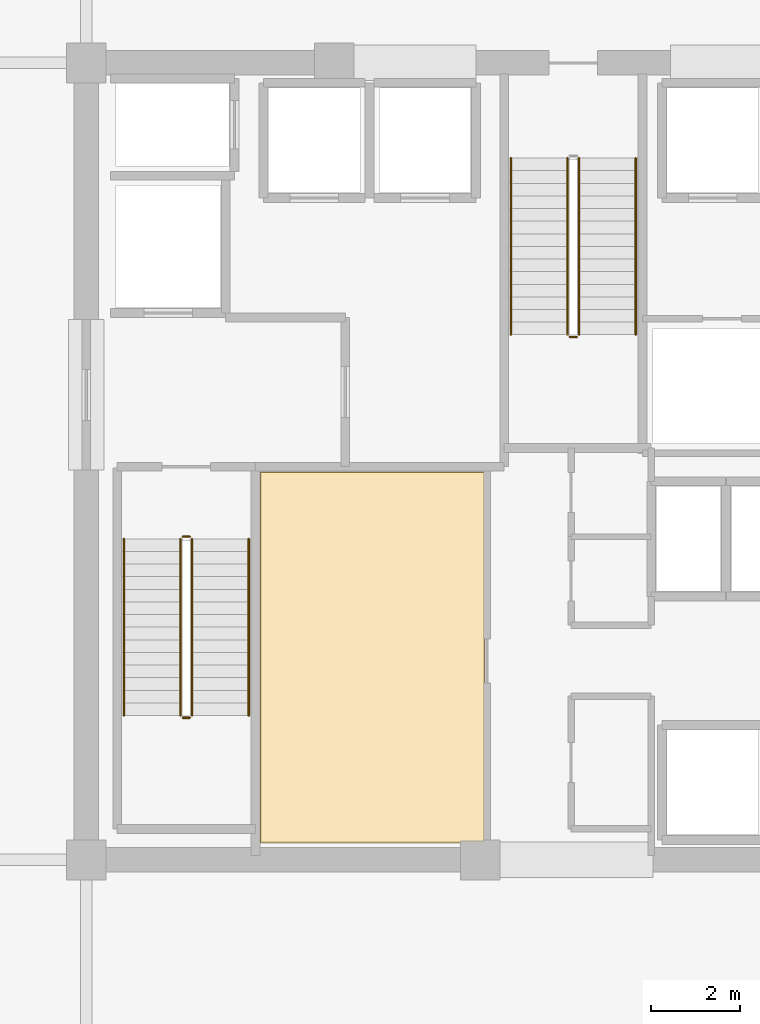
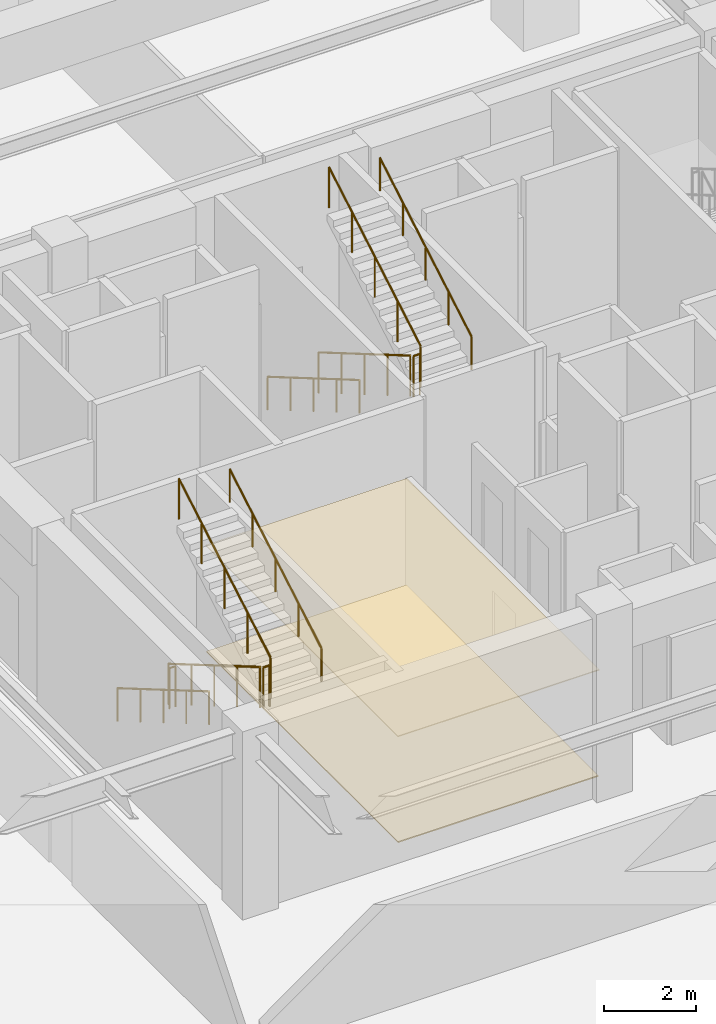
# One storey, part 18 of 21: 11 railings, 2 coverings.
"""IFC4 building model written with IfcOpenShell, lengths in metres."""

import ifcopenshell
import ifcopenshell.guid

model = None  # the IFC model being written
_history = None  # IfcOwnerHistory: only IFC2X3 demands one
_inside = {}  # id of a spatial element -> (the spatial element, [elements in it])
_under = {}  # id of a project, library or spatial element -> (it, [spatial elements below it])
_declared = {}  # id of a project -> (the project, [libraries it declares])
_typed = {}  # id of a type object -> (the type object, [elements of that type])
_made_of = {}  # id of a material, layer set ... -> (it, [elements and type objects made of it])


def new_model(schema):
    """Start an empty IFC model of exactly this schema.

    Asked for "IFC4X3", IfcOpenShell would pick the latest addendum, in which some entities
    have other attributes; the version numbers below select the first issue.
    IFC2X3 requires an IfcOwnerHistory on every rooted entity: one is made here for all.
    """
    global model, _history
    if schema == "IFC4X3":
        model = ifcopenshell.file(schema_version=(4, 3, 0, 0))
    else:
        model = ifcopenshell.file(schema=schema)
    _inside.clear()
    _under.clear()
    _declared.clear()
    _typed.clear()
    _made_of.clear()
    _history = None
    if model.schema == "IFC2X3":
        org = make("IfcOrganization", Name="unknown")
        user = make(
            "IfcPersonAndOrganization",
            ThePerson=make("IfcPerson", FamilyName="unknown"),
            TheOrganization=org,
        )
        app = make(
            "IfcApplication",
            ApplicationDeveloper=org,
            Version="unknown",
            ApplicationFullName="unknown",
            ApplicationIdentifier="unknown",
        )
        _history = make(
            "IfcOwnerHistory",
            OwningUser=user,
            OwningApplication=app,
            ChangeAction="ADDED",
            CreationDate=0,
        )
    return model


def make(cls, **values):
    """One entity of the class cls with the attributes given. An attribute that is None is left unset."""
    return model.create_entity(
        cls, **{name: value for name, value in values.items() if value is not None}
    )


def rooted(cls, **values):
    """An entity with a GlobalId (a new one), such as an element, a storey or a relation."""
    return make(cls, GlobalId=ifcopenshell.guid.new(), OwnerHistory=_history, **values)


def si_unit(unit_type, name, prefix=None):
    """IfcSIUnit, for example si_unit("LENGTHUNIT", "METRE", prefix="MILLI")."""
    return make("IfcSIUnit", UnitType=unit_type, Prefix=prefix, Name=name)


def assignment(units):
    """IfcUnitAssignment: the units of a project."""
    return None if units is None else make("IfcUnitAssignment", Units=units)


def point(xyz):
    """IfcCartesianPoint."""
    return None if xyz is None else make("IfcCartesianPoint", Coordinates=xyz)


def direction(xyz):
    """IfcDirection."""
    return None if xyz is None else make("IfcDirection", DirectionRatios=xyz)


def frame(location, z_axis=None, x_axis=None):
    """IfcAxis2Placement3D, a coordinate frame: its origin and axes. An axis left out is left unset."""
    return make(
        "IfcAxis2Placement3D",
        Location=point(location),
        Axis=direction(z_axis),
        RefDirection=direction(x_axis),
    )


def frame_2d(location, x_axis=None):
    """IfcAxis2Placement2D, a coordinate frame in the plane: its origin and x axis."""
    return make(
        "IfcAxis2Placement2D", Location=point(location), RefDirection=direction(x_axis)
    )


def origin():
    """The frame at (0, 0, 0) with its axes left unset."""
    return frame((0.0, 0.0, 0.0))


def origin_2d():
    """The frame at (0, 0) in the plane with its x axis left unset."""
    return frame_2d((0.0, 0.0))


def place(relative_to, where):
    """IfcLocalPlacement: puts the frame where relative to a parent placement (None: the world)."""
    return make(
        "IfcLocalPlacement", PlacementRelTo=relative_to, RelativePlacement=where
    )


def context(
    kind, dimensions, precision=None, world=None, true_north=None, identifier=None
):
    """IfcGeometricRepresentationContext, for example the 3D "Model" context."""
    return make(
        "IfcGeometricRepresentationContext",
        ContextIdentifier=identifier,
        ContextType=kind,
        CoordinateSpaceDimension=dimensions,
        Precision=precision,
        WorldCoordinateSystem=world,
        TrueNorth=true_north,
    )


def subcontext(parent, identifier, kind, view, scale=None):
    """IfcGeometricRepresentationSubContext, for example "Body" below "Model"."""
    return make(
        "IfcGeometricRepresentationSubContext",
        ContextIdentifier=identifier,
        ContextType=kind,
        ParentContext=parent,
        TargetScale=scale,
        TargetView=view,
    )


def project(units=None, contexts=None):
    """IfcProject with its units and contexts."""
    return rooted(
        "IfcProject",
        Name="project",
        RepresentationContexts=contexts,
        UnitsInContext=assignment(units),
    )


def spatial(cls, under=None, at=None, **own):
    """A site, building, storey or space (cls), placed at a placement, below another one or the project."""
    s = rooted(cls, ObjectPlacement=at, **own)
    if under is not None:
        _under.setdefault(under.id(), (under, []))[1].append(s)
    return s


def polyline(points):
    """IfcPolyline through the points."""
    return make("IfcPolyline", Points=[point(p) for p in points])


def profile(cls, at=None, kind="AREA", **sizes):
    """A parametric profile (cls). Its sizes go by their IFC names, for example OverallWidth=200.0."""
    return make(cls, ProfileType=kind, Position=at, **sizes)


def circle(**sizes):
    """IfcCircleProfileDef."""
    return profile("IfcCircleProfileDef", **sizes)


def outline(outer, holes=None, kind="AREA"):
    """IfcArbitraryClosedProfileDef: a profile drawn as a closed curve; with holes, ...WithVoids."""
    if holes is None:
        return make("IfcArbitraryClosedProfileDef", ProfileType=kind, OuterCurve=outer)
    return make(
        "IfcArbitraryProfileDefWithVoids",
        ProfileType=kind,
        OuterCurve=outer,
        InnerCurves=holes,
    )


def extrude(swept, where, along, depth):
    """IfcExtrudedAreaSolid: the profile swept, set in the frame where, extruded along a direction by depth."""
    return make(
        "IfcExtrudedAreaSolid",
        SweptArea=swept,
        Position=where,
        ExtrudedDirection=direction(along),
        Depth=depth,
    )


def shape(context_of_items, identifier, shape_type, items):
    """IfcShapeRepresentation: the items that make up one representation, for example the "Body"."""
    return make(
        "IfcShapeRepresentation",
        ContextOfItems=context_of_items,
        RepresentationIdentifier=identifier,
        RepresentationType=shape_type,
        Items=items,
    )


def material(Name=None, Category=None):
    """IfcMaterial."""
    return make("IfcMaterial", Name=Name, Category=Category)


def layer(
    of_material, thickness, ventilated=None, Name=None, Category=None, Priority=None
):
    """IfcMaterialLayer: one layer of a wall or slab, of a material (None: an air gap)."""
    return make(
        "IfcMaterialLayer",
        Material=of_material,
        LayerThickness=thickness,
        IsVentilated=ventilated,
        Name=Name,
        Category=Category,
        Priority=Priority,
    )


def layer_set(layers, Name=None):
    """IfcMaterialLayerSet."""
    return make("IfcMaterialLayerSet", MaterialLayers=layers, LayerSetName=Name)


def made_of(thing, what):
    """Note that an element or type object is made of a material, layer set ...; save() writes the relation."""
    if what is not None:
        _made_of.setdefault(what.id(), (what, []))[1].append(thing)
    return thing


def type_object(cls, material=None, **own):
    """A type object (cls), such as IfcWallType, which elements share."""
    return made_of(rooted(cls, **own), material)


def element(
    cls,
    number,
    at=None,
    inside=None,
    cuts=None,
    type_object=None,
    material=None,
    context=None,
    identifier="Body",
    shape_type=None,
    held_by="IfcProductDefinitionShape",
    body=None,
    shapes=None,
    **own,
):
    """One element of the class cls, such as IfcWall. Its Tag is "e" and its number.

    at: its placement. inside: the storey or other place that contains it. cuts: it is an
    opening in that element (IfcRelVoidsElement). A single representation is given by context,
    identifier, shape_type and body (its items); several are given by shapes. held_by: the class
    of the entity that holds the representations. save() writes the other relations.
    """
    e = rooted(cls, Tag="e%d" % number, ObjectPlacement=at, **own)
    if body is not None:
        shapes = [shape(context, identifier, shape_type, body)]
    if shapes is not None:
        e.Representation = make(held_by, Representations=shapes)
    if inside is not None:
        _inside.setdefault(inside.id(), (inside, []))[1].append(e)
    if cuts is not None:
        rooted(
            "IfcRelVoidsElement", RelatingBuildingElement=cuts, RelatedOpeningElement=e
        )
    if type_object is not None:
        _typed.setdefault(type_object.id(), (type_object, []))[1].append(e)
    return made_of(e, material)


def aggregate(whole, parts):
    """IfcRelAggregates: a whole, such as a stair, and the parts it consists of."""
    return rooted("IfcRelAggregates", RelatingObject=whole, RelatedObjects=parts)


def save(model, path):
    """Write the relations noted so far, then the file.

    IfcRelAggregates (storeys below a building ...), IfcRelContainedInSpatialStructure (elements
    in a storey), IfcRelDefinesByType, IfcRelAssociatesMaterial and IfcRelDeclares: one each for
    every whole, place, type object, material and project.
    """
    for whole, parts in _under.values():
        aggregate(whole, parts)
    for where, things in _inside.values():
        rooted(
            "IfcRelContainedInSpatialStructure",
            RelatedElements=things,
            RelatingStructure=where,
        )
    for kind, things in _typed.values():
        rooted("IfcRelDefinesByType", RelatedObjects=things, RelatingType=kind)
    for what, things in _made_of.values():
        rooted("IfcRelAssociatesMaterial", RelatedObjects=things, RelatingMaterial=what)
    for by, libraries in _declared.values():
        rooted("IfcRelDeclares", RelatingContext=by, RelatedDefinitions=libraries)
    model.write(path)


model = new_model("IFC4")

# Units and contexts
model_context = context("Model", 3, precision=1e-05, world=origin(), true_north=direction((0.0, 1.0)))
body_context = subcontext(model_context, "Body", "Model", "MODEL_VIEW")
ifc_project = project(units=[si_unit("LENGTHUNIT", "METRE"), si_unit("AREAUNIT", "SQUARE_METRE"), si_unit("VOLUMEUNIT", "CUBIC_METRE"), si_unit("PLANEANGLEUNIT", "RADIAN"), si_unit("MASSUNIT", "GRAM", prefix="KILO")], contexts=[model_context])

# Site, building, storey
site_placement = place(None, origin())
site = spatial("IfcSite", under=ifc_project, at=site_placement, CompositionType="ELEMENT")
building_placement = place(site_placement, origin())
building = spatial("IfcBuilding", under=site, at=building_placement, Name="Kovane Verandah Tower", CompositionType="ELEMENT")
storey_placement = place(building_placement, frame((0.0, 0.0, 238.199951171875)))
storey = spatial("IfcBuildingStorey", under=building, at=storey_placement, Name="L55", CompositionType="ELEMENT", Elevation=238.199951171875)

# Coverings
ifc_material_1 = material(Name="Perforated Acoustic Mineral-Fibre Ceiling Tile", Category="gypsum")
ifc_layer_1 = layer(ifc_material_1, 0.02490234375)
ifc_layer_set_1 = layer_set([ifc_layer_1], Name="Perforated Acoustic Mineral-Fibre Ceiling Tile")
covering_type_1 = type_object("IfcCoveringType", Name="CV-CEIL-25", PredefinedType="CEILING", material=ifc_layer_set_1)
covering_1_placement = place(storey_placement, frame((0.0, 0.0, 2.824951171875)))
element("IfcCovering", 1, at=covering_1_placement, inside=storey, type_object=covering_type_1, Name="L55 Tenant Wellness and Archive Suite Acoustic Ceiling", PredefinedType="CEILING", context=body_context, shape_type="SweptSolid", body=[
    extrude(outline(polyline([(32.93505859375, 18.885009765625), (37.9951171875, 18.885009765625), (37.9951171875, 27.264892578125), (32.93505859375, 27.264892578125), (32.93505859375, 18.885009765625)])), origin(), (0.0, 0.0, 1.0), 0.025146484375),
])
ifc_material_2 = material(Name="Polished Terrazzo and Raised-Access Carpet Tile Finish", Category="concrete")
ifc_layer_2 = layer(ifc_material_2, 0.030029296875)
ifc_layer_set_2 = layer_set([ifc_layer_2], Name="Polished Terrazzo and Raised-Access Carpet Tile Finish")
covering_type_2 = type_object("IfcCoveringType", Name="CV-FLOR-30", PredefinedType="FLOORING", material=ifc_layer_set_2)
covering_2_placement = place(storey_placement, origin())
element("IfcCovering", 2, at=covering_2_placement, inside=storey, type_object=covering_type_2, Name="L55 Tenant Wellness and Archive Suite Floor Finish", PredefinedType="FLOORING", context=body_context, shape_type="SweptSolid", body=[
    extrude(outline(polyline([(32.949951171875, 18.89990234375), (37.97998046875, 18.89990234375), (37.97998046875, 27.25), (32.949951171875, 27.25), (32.949951171875, 18.89990234375)])), origin(), (0.0, 0.0, 1.0), 0.030029296875),
])

# Railings
ifc_material_3 = material(Name="Brushed Stainless Steel Handrail", Category="steel")
railing_type_1 = type_object("IfcRailingType", Name="RL-HAND-920", PredefinedType="HANDRAIL", material=ifc_material_3)
railing_1_placement = place(storey_placement, frame((29.85009765625, 25.75, 0.166748046875)))
element("IfcRailing", 3, at=railing_1_placement, inside=storey, type_object=railing_type_1, Name="L55 ST-01 stair handrail 1", PredefinedType="HANDRAIL", context=body_context, shape_type="SweptSolid", body=[
    extrude(circle(Radius=0.02392578125, at=origin_2d()), frame((0.0, 0.0, 0.8759765625), z_axis=(0.0, -0.863236243904, 0.504800145811), x_axis=(1.0, 0.0, 0.0)), (0.0, 0.0, 1.0), 4.6220703125),
    extrude(circle(Radius=0.02099609375, at=origin_2d()), origin(), (0.0, 0.0, 1.0), 0.851806640625),
    extrude(circle(Radius=0.02099609375, at=origin_2d()), frame((0.0, -0.99755859375, 0.583251953125)), (0.0, 0.0, 1.0), 0.851806640625),
    extrude(circle(Radius=0.02099609375, at=origin_2d()), frame((0.0, -1.9951171875, 1.16650390625)), (0.0, 0.0, 1.0), 0.851806640625),
    extrude(circle(Radius=0.02099609375, at=origin_2d()), frame((0.0, -2.992431640625, 1.75)), (0.0, 0.0, 1.0), 0.851806640625),
    extrude(circle(Radius=0.02099609375, at=origin_2d()), frame((0.0, -3.989990234375, 2.333251953125)), (0.0, 0.0, 1.0), 0.851806640625),
])
railing_2_placement = place(storey_placement, frame((32.669921875, 21.760009765625, 2.666748046875)))
element("IfcRailing", 4, at=railing_2_placement, inside=storey, type_object=railing_type_1, Name="L55 ST-01 stair handrail 2", PredefinedType="HANDRAIL", context=body_context, shape_type="SweptSolid", body=[
    extrude(circle(Radius=0.02392578125, at=origin_2d()), frame((0.0, 0.0, 0.8759765625), z_axis=(0.0, 0.863236243904, 0.504800145811), x_axis=(-1.0, 0.0, 0.0)), (0.0, 0.0, 1.0), 4.6220703125),
    extrude(circle(Radius=0.02099609375, at=origin_2d()), origin(), (0.0, 0.0, 1.0), 0.851806640625),
    extrude(circle(Radius=0.02099609375, at=origin_2d()), frame((0.0, 0.99755859375, 0.583251953125)), (0.0, 0.0, 1.0), 0.851806640625),
    extrude(circle(Radius=0.02099609375, at=origin_2d()), frame((0.0, 1.9951171875, 1.16650390625)), (0.0, 0.0, 1.0), 0.851806640625),
    extrude(circle(Radius=0.02099609375, at=origin_2d()), frame((0.0, 2.992431640625, 1.75)), (0.0, 0.0, 1.0), 0.851806640625),
    extrude(circle(Radius=0.02099609375, at=origin_2d()), frame((0.0, 3.989990234375, 2.333251953125)), (0.0, 0.0, 1.0), 0.851806640625),
])
railing_3_placement = place(storey_placement, frame((38.590087890625, 34.35009765625, 0.166748046875)))
element("IfcRailing", 5, at=railing_3_placement, inside=storey, type_object=railing_type_1, Name="L55 ST-03 stair handrail 1", PredefinedType="HANDRAIL", context=body_context, shape_type="SweptSolid", body=[
    extrude(circle(Radius=0.02392578125, at=origin_2d()), frame((0.0, 0.0, 0.8759765625), z_axis=(0.0, -0.863236243904, 0.504800145811), x_axis=(1.0, 0.0, 0.0)), (0.0, 0.0, 1.0), 4.6220703125),
    extrude(circle(Radius=0.02099609375, at=origin_2d()), origin(), (0.0, 0.0, 1.0), 0.851806640625),
    extrude(circle(Radius=0.02099609375, at=origin_2d()), frame((0.0, -0.99755859375, 0.583251953125)), (0.0, 0.0, 1.0), 0.851806640625),
    extrude(circle(Radius=0.02099609375, at=origin_2d()), frame((0.0, -1.9951171875, 1.16650390625)), (0.0, 0.0, 1.0), 0.851806640625),
    extrude(circle(Radius=0.02099609375, at=origin_2d()), frame((0.0, -2.992431640625, 1.75)), (0.0, 0.0, 1.0), 0.851806640625),
    extrude(circle(Radius=0.02099609375, at=origin_2d()), frame((0.0, -3.989990234375, 2.333251953125)), (0.0, 0.0, 1.0), 0.851806640625),
])
railing_4_placement = place(storey_placement, frame((41.409912109375, 30.360107421875, 2.666748046875)))
element("IfcRailing", 6, at=railing_4_placement, inside=storey, type_object=railing_type_1, Name="L55 ST-03 stair handrail 2", PredefinedType="HANDRAIL", context=body_context, shape_type="SweptSolid", body=[
    extrude(circle(Radius=0.02392578125, at=origin_2d()), frame((0.0, 0.0, 0.8759765625), z_axis=(0.0, 0.863236243904, 0.504800145811), x_axis=(-1.0, 0.0, 0.0)), (0.0, 0.0, 1.0), 4.6220703125),
    extrude(circle(Radius=0.02099609375, at=origin_2d()), origin(), (0.0, 0.0, 1.0), 0.851806640625),
    extrude(circle(Radius=0.02099609375, at=origin_2d()), frame((0.0, 0.99755859375, 0.583251953125)), (0.0, 0.0, 1.0), 0.851806640625),
    extrude(circle(Radius=0.02099609375, at=origin_2d()), frame((0.0, 1.9951171875, 1.16650390625)), (0.0, 0.0, 1.0), 0.851806640625),
    extrude(circle(Radius=0.02099609375, at=origin_2d()), frame((0.0, 2.992431640625, 1.75)), (0.0, 0.0, 1.0), 0.851806640625),
    extrude(circle(Radius=0.02099609375, at=origin_2d()), frame((0.0, 3.989990234375, 2.333251953125)), (0.0, 0.0, 1.0), 0.851806640625),
])
ifc_material_4 = material(Name="Painted Steel Stairwell Guardrail", Category="steel")
railing_type_2 = type_object("IfcRailingType", Name="RL-STGUARD-1120", PredefinedType="GUARDRAIL", material=ifc_material_4)
railing_5_placement = place(storey_placement, frame((31.1298828125, 25.75, 0.166748046875)))
element("IfcRailing", 7, at=railing_5_placement, inside=storey, type_object=railing_type_2, Name="L55 ST-01 stair guard 1", PredefinedType="GUARDRAIL", context=body_context, shape_type="SweptSolid", body=[
    extrude(circle(Radius=0.02392578125, at=origin_2d()), frame((0.0, 0.0, 1.076171875), z_axis=(0.0, -0.863236243904, 0.504800145811), x_axis=(1.0, 0.0, 0.0)), (0.0, 0.0, 1.0), 4.6220703125),
    extrude(circle(Radius=0.02099609375, at=origin_2d()), origin(), (0.0, 0.0, 1.0), 1.052001953125),
    extrude(circle(Radius=0.02099609375, at=origin_2d()), frame((0.0, -0.99755859375, 0.583251953125)), (0.0, 0.0, 1.0), 1.052001953125),
    extrude(circle(Radius=0.02099609375, at=origin_2d()), frame((0.0, -1.9951171875, 1.16650390625)), (0.0, 0.0, 1.0), 1.052001953125),
    extrude(circle(Radius=0.02099609375, at=origin_2d()), frame((0.0, -2.992431640625, 1.75)), (0.0, 0.0, 1.0), 1.052001953125),
    extrude(circle(Radius=0.02099609375, at=origin_2d()), frame((0.0, -3.989990234375, 2.333251953125)), (0.0, 0.0, 1.0), 1.052001953125),
])
railing_6_placement = place(storey_placement, frame((31.179931640625, 21.7099609375, 2.5)))
element("IfcRailing", 8, at=railing_6_placement, inside=storey, type_object=railing_type_2, Name="L55 ST-01 stair guard 2", PredefinedType="GUARDRAIL", context=body_context, shape_type="SweptSolid", body=[
    extrude(circle(Radius=0.02392578125, at=origin_2d()), frame((0.0, 0.0, 1.076171875), z_axis=(1.0, 0.0, 0.0), x_axis=(0.0, 1.0, 0.0)), (0.0, 0.0, 1.0), 0.16015625),
    extrude(circle(Radius=0.02099609375, at=origin_2d()), origin(), (0.0, 0.0, 1.0), 1.052001953125),
    extrude(circle(Radius=0.02099609375, at=origin_2d()), frame((0.16015625, 0.0, 0.0)), (0.0, 0.0, 1.0), 1.052001953125),
])
railing_7_placement = place(storey_placement, frame((31.389892578125, 21.760009765625, 2.666748046875)))
element("IfcRailing", 9, at=railing_7_placement, inside=storey, type_object=railing_type_2, Name="L55 ST-01 stair guard 3", PredefinedType="GUARDRAIL", context=body_context, shape_type="SweptSolid", body=[
    extrude(circle(Radius=0.02392578125, at=origin_2d()), frame((0.0, 0.0, 1.076171875), z_axis=(0.0, 0.863236243904, 0.504800145811), x_axis=(-1.0, 0.0, 0.0)), (0.0, 0.0, 1.0), 4.6220703125),
    extrude(circle(Radius=0.02099609375, at=origin_2d()), origin(), (0.0, 0.0, 1.0), 1.052001953125),
    extrude(circle(Radius=0.02099609375, at=origin_2d()), frame((0.0, 0.99755859375, 0.583251953125)), (0.0, 0.0, 1.0), 1.052001953125),
    extrude(circle(Radius=0.02099609375, at=origin_2d()), frame((0.0, 1.9951171875, 1.16650390625)), (0.0, 0.0, 1.0), 1.052001953125),
    extrude(circle(Radius=0.02099609375, at=origin_2d()), frame((0.0, 2.992431640625, 1.75)), (0.0, 0.0, 1.0), 1.052001953125),
    extrude(circle(Radius=0.02099609375, at=origin_2d()), frame((0.0, 3.989990234375, 2.333251953125)), (0.0, 0.0, 1.0), 1.052001953125),
])
railing_8_placement = place(storey_placement, frame((31.179931640625, 25.800048828125, 0.0)))
element("IfcRailing", 10, at=railing_8_placement, inside=storey, type_object=railing_type_2, Name="L55 ST-01 stair guard 4", PredefinedType="GUARDRAIL", context=body_context, shape_type="SweptSolid", body=[
    extrude(circle(Radius=0.02392578125, at=origin_2d()), frame((0.0, 0.0, 1.076171875), z_axis=(1.0, 0.0, 0.0), x_axis=(0.0, 1.0, 0.0)), (0.0, 0.0, 1.0), 0.16015625),
    extrude(circle(Radius=0.02099609375, at=origin_2d()), origin(), (0.0, 0.0, 1.0), 1.052001953125),
    extrude(circle(Radius=0.02099609375, at=origin_2d()), frame((0.16015625, 0.0, 0.0)), (0.0, 0.0, 1.0), 1.052001953125),
])
railing_9_placement = place(storey_placement, frame((39.8701171875, 34.35009765625, 0.166748046875)))
element("IfcRailing", 11, at=railing_9_placement, inside=storey, type_object=railing_type_2, Name="L55 ST-03 stair guard 1", PredefinedType="GUARDRAIL", context=body_context, shape_type="SweptSolid", body=[
    extrude(circle(Radius=0.02392578125, at=origin_2d()), frame((0.0, 0.0, 1.076171875), z_axis=(0.0, -0.863236243904, 0.504800145811), x_axis=(1.0, 0.0, 0.0)), (0.0, 0.0, 1.0), 4.6220703125),
    extrude(circle(Radius=0.02099609375, at=origin_2d()), origin(), (0.0, 0.0, 1.0), 1.052001953125),
    extrude(circle(Radius=0.02099609375, at=origin_2d()), frame((0.0, -0.99755859375, 0.583251953125)), (0.0, 0.0, 1.0), 1.052001953125),
    extrude(circle(Radius=0.02099609375, at=origin_2d()), frame((0.0, -1.9951171875, 1.16650390625)), (0.0, 0.0, 1.0), 1.052001953125),
    extrude(circle(Radius=0.02099609375, at=origin_2d()), frame((0.0, -2.992431640625, 1.75)), (0.0, 0.0, 1.0), 1.052001953125),
    extrude(circle(Radius=0.02099609375, at=origin_2d()), frame((0.0, -3.989990234375, 2.333251953125)), (0.0, 0.0, 1.0), 1.052001953125),
])
railing_10_placement = place(storey_placement, frame((39.919921875, 30.31005859375, 2.5)))
element("IfcRailing", 12, at=railing_10_placement, inside=storey, type_object=railing_type_2, Name="L55 ST-03 stair guard 2", PredefinedType="GUARDRAIL", context=body_context, shape_type="SweptSolid", body=[
    extrude(circle(Radius=0.02392578125, at=origin_2d()), frame((0.0, 0.0, 1.076171875), z_axis=(1.0, 0.0, 0.0), x_axis=(0.0, 1.0, 0.0)), (0.0, 0.0, 1.0), 0.16015625),
    extrude(circle(Radius=0.02099609375, at=origin_2d()), origin(), (0.0, 0.0, 1.0), 1.052001953125),
    extrude(circle(Radius=0.02099609375, at=origin_2d()), frame((0.16015625, 0.0, 0.0)), (0.0, 0.0, 1.0), 1.052001953125),
])
railing_11_placement = place(storey_placement, frame((40.1298828125, 30.360107421875, 2.666748046875)))
element("IfcRailing", 13, at=railing_11_placement, inside=storey, type_object=railing_type_2, Name="L55 ST-03 stair guard 3", PredefinedType="GUARDRAIL", context=body_context, shape_type="SweptSolid", body=[
    extrude(circle(Radius=0.02392578125, at=origin_2d()), frame((0.0, 0.0, 1.076171875), z_axis=(0.0, 0.863236243904, 0.504800145811), x_axis=(-1.0, 0.0, 0.0)), (0.0, 0.0, 1.0), 4.6220703125),
    extrude(circle(Radius=0.02099609375, at=origin_2d()), origin(), (0.0, 0.0, 1.0), 1.052001953125),
    extrude(circle(Radius=0.02099609375, at=origin_2d()), frame((0.0, 0.99755859375, 0.583251953125)), (0.0, 0.0, 1.0), 1.052001953125),
    extrude(circle(Radius=0.02099609375, at=origin_2d()), frame((0.0, 1.9951171875, 1.16650390625)), (0.0, 0.0, 1.0), 1.052001953125),
    extrude(circle(Radius=0.02099609375, at=origin_2d()), frame((0.0, 2.992431640625, 1.75)), (0.0, 0.0, 1.0), 1.052001953125),
    extrude(circle(Radius=0.02099609375, at=origin_2d()), frame((0.0, 3.989990234375, 2.333251953125)), (0.0, 0.0, 1.0), 1.052001953125),
])

save(model, "model.ifc")
